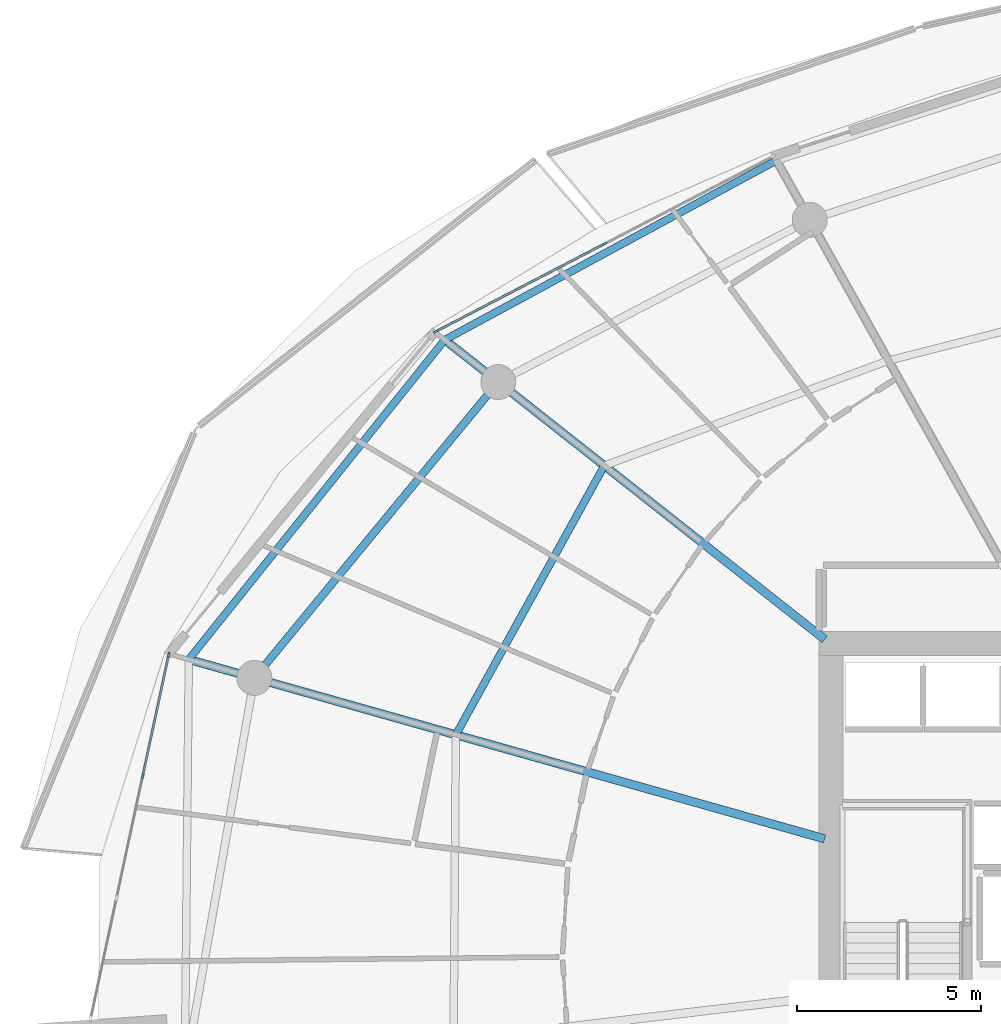
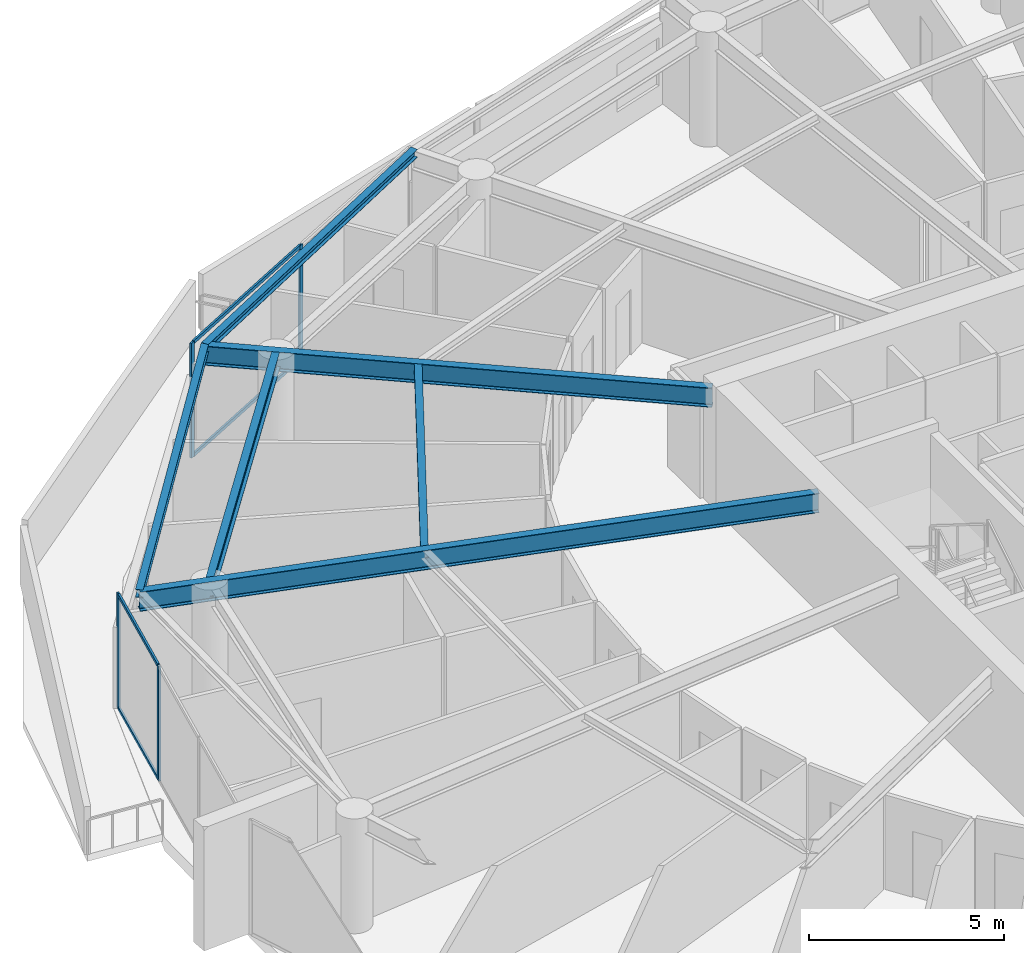
# One storey, part 12 of 30: 8 members, 6 beams, 2 elements without a shape of their own.
"""IFC4 building model written with IfcOpenShell, lengths in metres."""

from ifc_helpers import new_model, si_unit, direction, frame, origin, origin_2d, place, context, subcontext, project, spatial, rectangle, i_section, extrude, material, layer, layer_set, material_profile, profile_set, type_object, element, aggregate, save


model = new_model("IFC4")

# Units and contexts
model_context = context("Model", 3, precision=1e-05, world=origin(), true_north=direction((0.0, 1.0)))
body_context = subcontext(model_context, "Body", "Model", "MODEL_VIEW")
ifc_project = project(units=[si_unit("LENGTHUNIT", "METRE"), si_unit("AREAUNIT", "SQUARE_METRE"), si_unit("VOLUMEUNIT", "CUBIC_METRE"), si_unit("PLANEANGLEUNIT", "RADIAN"), si_unit("MASSUNIT", "GRAM", prefix="KILO")], contexts=[model_context])

# Site, building, storey
site_placement = place(None, origin())
site = spatial("IfcSite", under=ifc_project, at=site_placement, CompositionType="ELEMENT")
building_placement = place(site_placement, origin())
building = spatial("IfcBuilding", under=site, at=building_placement, Name="Kazma Halo Residences", CompositionType="ELEMENT")
storey_placement = place(building_placement, frame((0.0, 0.0, 236.699951171875)))
storey = spatial("IfcBuildingStorey", under=building, at=storey_placement, Name="L59", CompositionType="ELEMENT", Elevation=236.699951171875)

# Beams
ifc_material_1 = material(Name="Steel S355", Category="steel")
ifc_material_profile_1 = material_profile(ifc_material_1, i_section(OverallWidth=0.201904296875, OverallDepth=0.2470703125, WebThickness=0.00732421875, FlangeThickness=0.010986328125, FilletRadius=0.011962890625, at=origin_2d()), Name="W250x49.1")
ifc_profile_set_1 = profile_set([ifc_material_profile_1], Name="Steel S355")
beam_type_1 = type_object("IfcBeamType", Name="BM-BAL-CANT", PredefinedType="BEAM", material=ifc_profile_set_1)
beam_1_placement = place(storey_placement, frame((35.990478515625, 63.444580078125, 3.466552734375), z_axis=(-0.879517282036, -0.475866946321, 0.0), x_axis=(0.475866946321, -0.879517282036, 0.0)))
element("IfcBeam", 1, at=beam_1_placement, inside=storey, type_object=beam_type_1, Name="L59 wave-balcony tie beam 05", PredefinedType="BEAM", context=body_context, shape_type="SweptSolid", body=[
    extrude(i_section(OverallWidth=0.201904296875, OverallDepth=0.2470703125, WebThickness=0.00732421875, FlangeThickness=0.010986328125, FilletRadius=0.011962890625, at=origin_2d()), origin(), (0.0, 0.0, 1.0), 10.243408203125),
])
beam_2_placement = place(storey_placement, frame((26.981201171875, 58.570068359375, 3.466552734375), z_axis=(-0.625117912406, -0.780530329705, 0.0), x_axis=(0.780530329705, -0.625117912406, 0.0)))
element("IfcBeam", 2, at=beam_2_placement, inside=storey, type_object=beam_type_1, Name="L59 wave-balcony tie beam 06", PredefinedType="BEAM", context=body_context, shape_type="SweptSolid", body=[
    extrude(i_section(OverallWidth=0.201904296875, OverallDepth=0.2470703125, WebThickness=0.00732421875, FlangeThickness=0.010986328125, FilletRadius=0.011962890625, at=origin_2d()), origin(), (0.0, 0.0, 1.0), 11.1220703125),
])
ifc_material_profile_2 = material_profile(ifc_material_1, i_section(OverallWidth=0.22802734375, OverallDepth=0.60791015625, WebThickness=0.01123046875, FlangeThickness=0.017333984375, FilletRadius=0.01806640625, at=origin_2d()), Name="W610x113")
ifc_profile_set_2 = profile_set([ifc_material_profile_2], Name="Steel S355")
beam_type_2 = type_object("IfcBeamType", Name="BM-RAD-W610", PredefinedType="BEAM", material=ifc_profile_set_2)
beam_3_placement = place(storey_placement, frame((37.300048828125, 50.435302734375, 3.2861328125), z_axis=(-0.785315374811, 0.61909592317, 0.0), x_axis=(-0.61909592317, -0.785315374811, 0.0)))
element("IfcBeam", 3, at=beam_3_placement, inside=storey, type_object=beam_type_2, Name="L59 radial floor beam 06", PredefinedType="BEAM", context=body_context, shape_type="SweptSolid", body=[
    extrude(i_section(OverallWidth=0.22802734375, OverallDepth=0.60791015625, WebThickness=0.01123046875, FlangeThickness=0.017333984375, FilletRadius=0.01806640625, at=origin_2d()), origin(), (0.0, 0.0, 1.0), 13.1396484375),
])
beam_4_placement = place(storey_placement, frame((37.300048828125, 45.017578125, 3.2861328125), z_axis=(-0.962451225349, 0.271454671766, 0.0), x_axis=(-0.271454671766, -0.962451225349, 0.0)))
element("IfcBeam", 4, at=beam_4_placement, inside=storey, type_object=beam_type_2, Name="L59 radial floor beam 07", PredefinedType="BEAM", context=body_context, shape_type="SweptSolid", body=[
    extrude(i_section(OverallWidth=0.22802734375, OverallDepth=0.60791015625, WebThickness=0.01123046875, FlangeThickness=0.017333984375, FilletRadius=0.01806640625, at=origin_2d()), origin(), (0.0, 0.0, 1.0), 17.9453125),
])
ifc_material_profile_3 = material_profile(ifc_material_1, i_section(OverallWidth=0.202880859375, OverallDepth=0.302978515625, WebThickness=0.007568359375, FlangeThickness=0.01318359375, FilletRadius=0.013916015625, at=origin_2d()), Name="W310x60")
ifc_profile_set_3 = profile_set([ifc_material_profile_3], Name="Steel S355")
beam_type_3 = type_object("IfcBeamType", Name="BM-SEC-W310A", PredefinedType="JOIST", material=ifc_profile_set_3)
beam_5_placement = place(storey_placement, frame((31.31494140625, 55.1533203125, 3.4384765625), z_axis=(-0.483003900912, -0.875618199733, 0.0), x_axis=(0.875618199733, -0.483003900912, 0.0)))
element("IfcBeam", 5, at=beam_5_placement, inside=storey, type_object=beam_type_3, Name="L59 circumferential floor joist 06", PredefinedType="JOIST", context=body_context, shape_type="SweptSolid", body=[
    extrude(i_section(OverallWidth=0.202880859375, OverallDepth=0.302978515625, WebThickness=0.007568359375, FlangeThickness=0.01318359375, FilletRadius=0.013916015625, at=origin_2d()), origin(), (0.0, 0.0, 1.0), 8.3486328125),
])
ifc_material_profile_4 = material_profile(ifc_material_1, i_section(OverallWidth=0.208984375, OverallDepth=0.532958984375, WebThickness=0.01025390625, FlangeThickness=0.015625, FilletRadius=0.01611328125, at=origin_2d()), Name="W530x92")
ifc_profile_set_4 = profile_set([ifc_material_profile_4], Name="Steel S355")
beam_type_4 = type_object("IfcBeamType", Name="BM-SPN-W530", PredefinedType="BEAM", material=ifc_profile_set_4)
beam_6_placement = place(storey_placement, frame((28.433837890625, 57.4248046875, 3.323486328125), z_axis=(-0.636002144225, -0.771687289348, 0.0), x_axis=(0.771687289348, -0.636002144225, 0.0)))
element("IfcBeam", 6, at=beam_6_placement, inside=storey, type_object=beam_type_4, Name="L59 perimeter ring beam 06", PredefinedType="BEAM", context=body_context, shape_type="SweptSolid", body=[
    extrude(i_section(OverallWidth=0.208984375, OverallDepth=0.532958984375, WebThickness=0.01025390625, FlangeThickness=0.015625, FilletRadius=0.01611328125, at=origin_2d()), origin(), (0.0, 0.0, 1.0), 10.416259765625),
])

# Curtain wall, members
ifc_material_2 = material(Name="Aluminium AW-6063 T6 and Triple-Silver Low-E Glass", Category="aluminium")
ifc_layer = layer(ifc_material_2, 0.139892578125)
ifc_layer_set = layer_set([ifc_layer], Name="Aluminium AW-6063 T6 and Triple-Silver Low-E Glass")
curtain_wall_type = type_object("IfcCurtainWallType", Name="CW-SYS-5", PredefinedType="NOTDEFINED", material=ifc_layer_set)
curtain_wall_1_placement = place(storey_placement, origin())
curtain_wall_1 = element("IfcCurtainWall", 7, at=curtain_wall_1_placement, inside=storey, type_object=curtain_wall_type, Name="L59 unitised curtain wall B05", PredefinedType="NOTDEFINED")
ifc_material_3 = material(Name="Aluminium AW-6063 T6", Category="aluminium")
ifc_material_profile_5 = material_profile(ifc_material_3, rectangle(XDim=0.06005859375, YDim=0.139892578125, at=origin_2d()), Name="CWM-60x140")
ifc_profile_set_5 = profile_set([ifc_material_profile_5], Name="Aluminium AW-6063 T6")
member_type_1 = type_object("IfcMemberType", Name="CW-SYS-5-MUL", PredefinedType="MULLION", material=ifc_profile_set_5)
member_1_placement = place(storey_placement, frame((31.31591796875, 61.175537109375, 0.0), z_axis=(0.0, 0.0, 1.0), x_axis=(0.460960760804, -0.887420518694, 0.0)))
member_1 = element("IfcMember", 8, at=member_1_placement, type_object=member_type_1, Name="CWS-5 mullion 2", PredefinedType="MULLION", context=body_context, shape_type="SweptSolid", body=[
    extrude(rectangle(XDim=0.06005859375, YDim=0.139892578125, at=origin_2d()), origin(), (0.0, 0.0, 1.0), 3.590087890625),
])
member_2_placement = place(storey_placement, frame((26.737060546875, 58.797119140625, 0.0), z_axis=(0.0, 0.0, 1.0), x_axis=(0.460960760804, -0.887420518694, 0.0)))
member_2 = element("IfcMember", 9, at=member_2_placement, type_object=member_type_1, Name="CWS-5 mullion 3", PredefinedType="MULLION", context=body_context, shape_type="SweptSolid", body=[
    extrude(rectangle(XDim=0.06005859375, YDim=0.139892578125, at=origin_2d()), origin(), (0.0, 0.0, 1.0), 3.590087890625),
])

curtain_wall_2_placement = place(storey_placement, origin())
curtain_wall_2 = element("IfcCurtainWall", 10, at=curtain_wall_2_placement, inside=storey, type_object=curtain_wall_type, Name="L59 unitised curtain wall B07", PredefinedType="NOTDEFINED")
member_3_placement = place(storey_placement, frame((19.485107421875, 50.010986328125, 0.0), z_axis=(0.0, 0.0, 1.0), x_axis=(0.97777491373, -0.209657382603, 0.0)))
member_3 = element("IfcMember", 11, at=member_3_placement, type_object=member_type_1, Name="CWS-5 mullion 1", PredefinedType="MULLION", context=body_context, shape_type="SweptSolid", body=[
    extrude(rectangle(XDim=0.06005859375, YDim=0.139892578125, at=origin_2d()), origin(), (0.0, 0.0, 1.0), 3.590087890625),
])
member_4_placement = place(storey_placement, frame((18.781005859375, 46.7265625, 0.0), z_axis=(0.0, 0.0, 1.0), x_axis=(0.97777491373, -0.209657382603, 0.0)))
member_4 = element("IfcMember", 12, at=member_4_placement, type_object=member_type_1, Name="CWS-5 mullion 2", PredefinedType="MULLION", context=body_context, shape_type="SweptSolid", body=[
    extrude(rectangle(XDim=0.06005859375, YDim=0.139892578125, at=origin_2d()), origin(), (0.0, 0.0, 1.0), 3.590087890625),
])

# Member
ifc_material_profile_6 = material_profile(ifc_material_3, rectangle(XDim=0.06005859375, YDim=0.10498046875, at=origin_2d()), Name="CWT-60x105")
ifc_profile_set_6 = profile_set([ifc_material_profile_6], Name="Aluminium AW-6063 T6")
member_type_2 = type_object("IfcMemberType", Name="CW-SYS-5-TRN", PredefinedType="USERDEFINED", material=ifc_profile_set_6)
member_5_placement = place(storey_placement, frame((31.289306640625, 61.16162109375, 0.030029296875), z_axis=(-0.887436955863, -0.46092911534, 0.0), x_axis=(0.46092911534, -0.887436955863, 0.0)))
member_5 = element("IfcMember", 13, at=member_5_placement, type_object=member_type_2, Name="CWS-5 transom 2.1", ObjectType="TRANSOM", PredefinedType="USERDEFINED", context=body_context, shape_type="SweptSolid", body=[
    extrude(rectangle(XDim=0.06005859375, YDim=0.10498046875, at=origin_2d()), origin(), (0.0, 0.0, 1.0), 5.099609375),
])

member_6_placement = place(storey_placement, frame((31.289306640625, 61.16162109375, 3.56005859375), z_axis=(-0.887436955863, -0.46092911534, 0.0), x_axis=(0.46092911534, -0.887436955863, 0.0)))
member_6 = element("IfcMember", 14, at=member_6_placement, type_object=member_type_2, Name="CWS-5 transom 2.2", ObjectType="TRANSOM", PredefinedType="USERDEFINED", context=body_context, shape_type="SweptSolid", body=[
    extrude(rectangle(XDim=0.06005859375, YDim=0.10498046875, at=origin_2d()), origin(), (0.0, 0.0, 1.0), 5.099609375),
])

aggregate(curtain_wall_1, [member_1, member_2, member_5, member_6])

member_7_placement = place(storey_placement, frame((19.47900390625, 49.9814453125, 0.030029296875), z_axis=(-0.209660493552, -0.977774246666, 0.0), x_axis=(0.977774246666, -0.209660493552, 0.0)))
member_7 = element("IfcMember", 15, at=member_7_placement, type_object=member_type_2, Name="CWS-5 transom 1.1", ObjectType="TRANSOM", PredefinedType="USERDEFINED", context=body_context, shape_type="SweptSolid", body=[
    extrude(rectangle(XDim=0.06005859375, YDim=0.10498046875, at=origin_2d()), origin(), (0.0, 0.0, 1.0), 3.298828125),
])

member_8_placement = place(storey_placement, frame((19.47900390625, 49.9814453125, 3.56005859375), z_axis=(-0.209660493552, -0.977774246666, 0.0), x_axis=(0.977774246666, -0.209660493552, 0.0)))
member_8 = element("IfcMember", 16, at=member_8_placement, type_object=member_type_2, Name="CWS-5 transom 1.2", ObjectType="TRANSOM", PredefinedType="USERDEFINED", context=body_context, shape_type="SweptSolid", body=[
    extrude(rectangle(XDim=0.06005859375, YDim=0.10498046875, at=origin_2d()), origin(), (0.0, 0.0, 1.0), 3.298828125),
])

aggregate(curtain_wall_2, [member_3, member_4, member_7, member_8])

save(model, "model.ifc")
